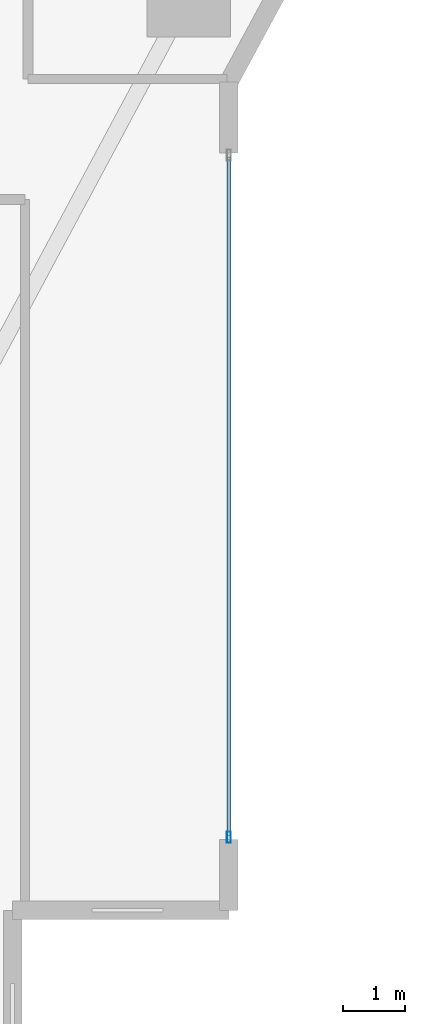
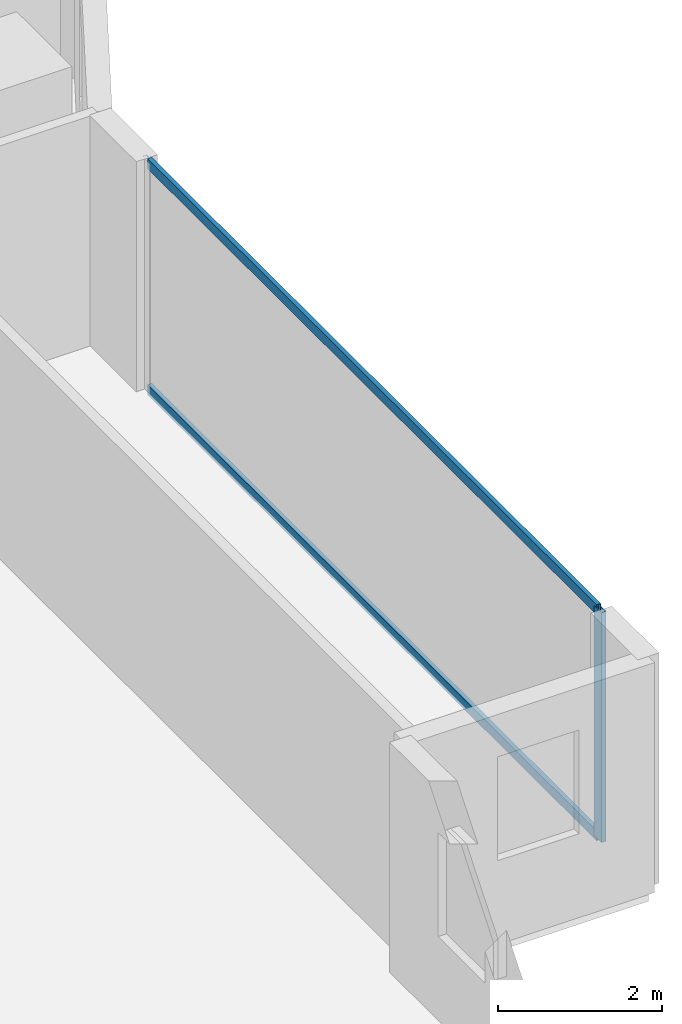
# One storey, part 11 of 29: 3 members, 1 element without a shape of its own.
"""IFC4 building model written with IfcOpenShell, lengths in metres."""

import ifcopenshell
import ifcopenshell.guid

model = None  # the IFC model being written
_history = None  # IfcOwnerHistory: only IFC2X3 demands one
_inside = {}  # id of a spatial element -> (the spatial element, [elements in it])
_under = {}  # id of a project, library or spatial element -> (it, [spatial elements below it])
_declared = {}  # id of a project -> (the project, [libraries it declares])
_typed = {}  # id of a type object -> (the type object, [elements of that type])
_made_of = {}  # id of a material, layer set ... -> (it, [elements and type objects made of it])


def new_model(schema):
    """Start an empty IFC model of exactly this schema.

    Asked for "IFC4X3", IfcOpenShell would pick the latest addendum, in which some entities
    have other attributes; the version numbers below select the first issue.
    IFC2X3 requires an IfcOwnerHistory on every rooted entity: one is made here for all.
    """
    global model, _history
    if schema == "IFC4X3":
        model = ifcopenshell.file(schema_version=(4, 3, 0, 0))
    else:
        model = ifcopenshell.file(schema=schema)
    _inside.clear()
    _under.clear()
    _declared.clear()
    _typed.clear()
    _made_of.clear()
    _history = None
    if model.schema == "IFC2X3":
        org = make("IfcOrganization", Name="unknown")
        user = make(
            "IfcPersonAndOrganization",
            ThePerson=make("IfcPerson", FamilyName="unknown"),
            TheOrganization=org,
        )
        app = make(
            "IfcApplication",
            ApplicationDeveloper=org,
            Version="unknown",
            ApplicationFullName="unknown",
            ApplicationIdentifier="unknown",
        )
        _history = make(
            "IfcOwnerHistory",
            OwningUser=user,
            OwningApplication=app,
            ChangeAction="ADDED",
            CreationDate=0,
        )
    return model


def make(cls, **values):
    """One entity of the class cls with the attributes given. An attribute that is None is left unset."""
    return model.create_entity(
        cls, **{name: value for name, value in values.items() if value is not None}
    )


def rooted(cls, **values):
    """An entity with a GlobalId (a new one), such as an element, a storey or a relation."""
    return make(cls, GlobalId=ifcopenshell.guid.new(), OwnerHistory=_history, **values)


def si_unit(unit_type, name, prefix=None):
    """IfcSIUnit, for example si_unit("LENGTHUNIT", "METRE", prefix="MILLI")."""
    return make("IfcSIUnit", UnitType=unit_type, Prefix=prefix, Name=name)


def assignment(units):
    """IfcUnitAssignment: the units of a project."""
    return None if units is None else make("IfcUnitAssignment", Units=units)


def point(xyz):
    """IfcCartesianPoint."""
    return None if xyz is None else make("IfcCartesianPoint", Coordinates=xyz)


def direction(xyz):
    """IfcDirection."""
    return None if xyz is None else make("IfcDirection", DirectionRatios=xyz)


def frame(location, z_axis=None, x_axis=None):
    """IfcAxis2Placement3D, a coordinate frame: its origin and axes. An axis left out is left unset."""
    return make(
        "IfcAxis2Placement3D",
        Location=point(location),
        Axis=direction(z_axis),
        RefDirection=direction(x_axis),
    )


def frame_2d(location, x_axis=None):
    """IfcAxis2Placement2D, a coordinate frame in the plane: its origin and x axis."""
    return make(
        "IfcAxis2Placement2D", Location=point(location), RefDirection=direction(x_axis)
    )


def origin():
    """The frame at (0, 0, 0) with its axes left unset."""
    return frame((0.0, 0.0, 0.0))


def origin_2d():
    """The frame at (0, 0) in the plane with its x axis left unset."""
    return frame_2d((0.0, 0.0))


def place(relative_to, where):
    """IfcLocalPlacement: puts the frame where relative to a parent placement (None: the world)."""
    return make(
        "IfcLocalPlacement", PlacementRelTo=relative_to, RelativePlacement=where
    )


def context(
    kind, dimensions, precision=None, world=None, true_north=None, identifier=None
):
    """IfcGeometricRepresentationContext, for example the 3D "Model" context."""
    return make(
        "IfcGeometricRepresentationContext",
        ContextIdentifier=identifier,
        ContextType=kind,
        CoordinateSpaceDimension=dimensions,
        Precision=precision,
        WorldCoordinateSystem=world,
        TrueNorth=true_north,
    )


def subcontext(parent, identifier, kind, view, scale=None):
    """IfcGeometricRepresentationSubContext, for example "Body" below "Model"."""
    return make(
        "IfcGeometricRepresentationSubContext",
        ContextIdentifier=identifier,
        ContextType=kind,
        ParentContext=parent,
        TargetScale=scale,
        TargetView=view,
    )


def project(units=None, contexts=None):
    """IfcProject with its units and contexts."""
    return rooted(
        "IfcProject",
        Name="project",
        RepresentationContexts=contexts,
        UnitsInContext=assignment(units),
    )


def spatial(cls, under=None, at=None, **own):
    """A site, building, storey or space (cls), placed at a placement, below another one or the project."""
    s = rooted(cls, ObjectPlacement=at, **own)
    if under is not None:
        _under.setdefault(under.id(), (under, []))[1].append(s)
    return s


def profile(cls, at=None, kind="AREA", **sizes):
    """A parametric profile (cls). Its sizes go by their IFC names, for example OverallWidth=200.0."""
    return make(cls, ProfileType=kind, Position=at, **sizes)


def hollow_rectangle(**sizes):
    """IfcRectangleHollowProfileDef."""
    return profile("IfcRectangleHollowProfileDef", **sizes)


def extrude(swept, where, along, depth):
    """IfcExtrudedAreaSolid: the profile swept, set in the frame where, extruded along a direction by depth."""
    return make(
        "IfcExtrudedAreaSolid",
        SweptArea=swept,
        Position=where,
        ExtrudedDirection=direction(along),
        Depth=depth,
    )


def shape(context_of_items, identifier, shape_type, items):
    """IfcShapeRepresentation: the items that make up one representation, for example the "Body"."""
    return make(
        "IfcShapeRepresentation",
        ContextOfItems=context_of_items,
        RepresentationIdentifier=identifier,
        RepresentationType=shape_type,
        Items=items,
    )


def material(Name=None, Category=None):
    """IfcMaterial."""
    return make("IfcMaterial", Name=Name, Category=Category)


def layer(
    of_material, thickness, ventilated=None, Name=None, Category=None, Priority=None
):
    """IfcMaterialLayer: one layer of a wall or slab, of a material (None: an air gap)."""
    return make(
        "IfcMaterialLayer",
        Material=of_material,
        LayerThickness=thickness,
        IsVentilated=ventilated,
        Name=Name,
        Category=Category,
        Priority=Priority,
    )


def layer_set(layers, Name=None):
    """IfcMaterialLayerSet."""
    return make("IfcMaterialLayerSet", MaterialLayers=layers, LayerSetName=Name)


def material_profile(
    of_material, cross_section, Name=None, Category=None, Priority=None
):
    """IfcMaterialProfile: a cross section and its material."""
    return make(
        "IfcMaterialProfile",
        Name=Name,
        Material=of_material,
        Profile=cross_section,
        Priority=Priority,
        Category=Category,
    )


def profile_set(profiles, Name=None, composite=None):
    """IfcMaterialProfileSet."""
    return make(
        "IfcMaterialProfileSet",
        Name=Name,
        MaterialProfiles=profiles,
        CompositeProfile=composite,
    )


def made_of(thing, what):
    """Note that an element or type object is made of a material, layer set ...; save() writes the relation."""
    if what is not None:
        _made_of.setdefault(what.id(), (what, []))[1].append(thing)
    return thing


def type_object(cls, material=None, **own):
    """A type object (cls), such as IfcWallType, which elements share."""
    return made_of(rooted(cls, **own), material)


def element(
    cls,
    number,
    at=None,
    inside=None,
    cuts=None,
    type_object=None,
    material=None,
    context=None,
    identifier="Body",
    shape_type=None,
    held_by="IfcProductDefinitionShape",
    body=None,
    shapes=None,
    **own,
):
    """One element of the class cls, such as IfcWall. Its Tag is "e" and its number.

    at: its placement. inside: the storey or other place that contains it. cuts: it is an
    opening in that element (IfcRelVoidsElement). A single representation is given by context,
    identifier, shape_type and body (its items); several are given by shapes. held_by: the class
    of the entity that holds the representations. save() writes the other relations.
    """
    e = rooted(cls, Tag="e%d" % number, ObjectPlacement=at, **own)
    if body is not None:
        shapes = [shape(context, identifier, shape_type, body)]
    if shapes is not None:
        e.Representation = make(held_by, Representations=shapes)
    if inside is not None:
        _inside.setdefault(inside.id(), (inside, []))[1].append(e)
    if cuts is not None:
        rooted(
            "IfcRelVoidsElement", RelatingBuildingElement=cuts, RelatedOpeningElement=e
        )
    if type_object is not None:
        _typed.setdefault(type_object.id(), (type_object, []))[1].append(e)
    return made_of(e, material)


def aggregate(whole, parts):
    """IfcRelAggregates: a whole, such as a stair, and the parts it consists of."""
    return rooted("IfcRelAggregates", RelatingObject=whole, RelatedObjects=parts)


def save(model, path):
    """Write the relations noted so far, then the file.

    IfcRelAggregates (storeys below a building ...), IfcRelContainedInSpatialStructure (elements
    in a storey), IfcRelDefinesByType, IfcRelAssociatesMaterial and IfcRelDeclares: one each for
    every whole, place, type object, material and project.
    """
    for whole, parts in _under.values():
        aggregate(whole, parts)
    for where, things in _inside.values():
        rooted(
            "IfcRelContainedInSpatialStructure",
            RelatedElements=things,
            RelatingStructure=where,
        )
    for kind, things in _typed.values():
        rooted("IfcRelDefinesByType", RelatedObjects=things, RelatingType=kind)
    for what, things in _made_of.values():
        rooted("IfcRelAssociatesMaterial", RelatedObjects=things, RelatingMaterial=what)
    for by, libraries in _declared.values():
        rooted("IfcRelDeclares", RelatingContext=by, RelatedDefinitions=libraries)
    model.write(path)


model = new_model("IFC4")

# Units and contexts
model_context = context("Model", 3, precision=1e-05, world=origin(), true_north=direction((0.0, 1.0)))
body_context = subcontext(model_context, "Body", "Model", "MODEL_VIEW")
ifc_project = project(units=[si_unit("LENGTHUNIT", "METRE"), si_unit("AREAUNIT", "SQUARE_METRE"), si_unit("VOLUMEUNIT", "CUBIC_METRE"), si_unit("PLANEANGLEUNIT", "RADIAN"), si_unit("MASSUNIT", "GRAM", prefix="KILO")], contexts=[model_context])

# Site, building, storey
site_placement = place(None, origin())
site = spatial("IfcSite", under=ifc_project, at=site_placement, CompositionType="ELEMENT")
building_placement = place(site_placement, origin())
building = spatial("IfcBuilding", under=site, at=building_placement, Name="Zuhayl Quay Hotel", CompositionType="ELEMENT")
storey_placement = place(building_placement, frame((0.0, 0.0, 150.39990234375)))
storey = spatial("IfcBuildingStorey", under=building, at=storey_placement, Name="L38", CompositionType="ELEMENT", Elevation=150.39990234375)

# Curtain wall, members
ifc_material_1 = material(Name="Anodised Aluminium 6063-T6", Category="aluminium")
ifc_layer = layer(ifc_material_1, 0.179931640625, Name="Anodised Aluminium 6063-T6", Category="aluminium")
ifc_layer_set = layer_set([ifc_layer], Name="Anodised Aluminium 6063-T6")
curtain_wall_type = type_object("IfcCurtainWallType", Name="CW_SYS_Z2", PredefinedType="USERDEFINED", material=ifc_layer_set)
curtain_wall_placement = place(storey_placement, origin())
curtain_wall = element("IfcCurtainWall", 1, at=curtain_wall_placement, inside=storey, type_object=curtain_wall_type, Name="L38 Curtain Wall ENV_L38_E14_CW1", ObjectType="UNITISED CURTAIN WALL", PredefinedType="USERDEFINED")
ifc_material_2 = material(Name="Black-anodised aluminium 6063-T6", Category="aluminium")
ifc_material_profile_1 = material_profile(ifc_material_2, hollow_rectangle(XDim=0.06494140625, YDim=0.179931640625, WallThickness=0.00341796875, at=origin_2d()), Name="ALU180X65")
ifc_profile_set_1 = profile_set([ifc_material_profile_1], Name="Black-anodised aluminium 6063-T6")
member_type_1 = type_object("IfcMemberType", Name="MB_CW_MUL_180", PredefinedType="MULLION", material=ifc_profile_set_1)
member_1_placement = place(storey_placement, frame((23.89990234375, -10.717529296875, 0.0), z_axis=(0.0, 0.0, 1.0), x_axis=(1.0, 0.0, 0.0)))
member_1 = element("IfcMember", 2, at=member_1_placement, type_object=member_type_1, Name="CW-Z2 mullion 2", PredefinedType="MULLION", context=body_context, shape_type="SweptSolid", body=[
    extrude(hollow_rectangle(XDim=0.06494140625, YDim=0.179931640625, WallThickness=0.00341796875, at=origin_2d()), origin(), (0.0, 0.0, 1.0), 3.43017578125),
])
ifc_material_profile_2 = material_profile(ifc_material_2, hollow_rectangle(XDim=0.06005859375, YDim=0.14990234375, WallThickness=0.00341796875, at=origin_2d()), Name="ALU150X60")
ifc_profile_set_2 = profile_set([ifc_material_profile_2], Name="Black-anodised aluminium 6063-T6")
member_type_2 = type_object("IfcMemberType", Name="MB_CW_TRN_150", PredefinedType="USERDEFINED", material=ifc_profile_set_2)
member_2_placement = place(storey_placement, frame((23.89990234375, 0.284912109375, 0.030029296875), z_axis=(0.0, -1.0, 0.0), x_axis=(1.0, 0.0, 0.0)))
member_2 = element("IfcMember", 3, at=member_2_placement, type_object=member_type_2, Name="CW-Z2 transom 1.1", ObjectType="TRANSOM", PredefinedType="USERDEFINED", context=body_context, shape_type="SweptSolid", body=[
    extrude(hollow_rectangle(XDim=0.06005859375, YDim=0.14990234375, WallThickness=0.00341796875, at=origin_2d()), origin(), (0.0, 0.0, 1.0), 10.969970703125),
])
member_3_placement = place(storey_placement, frame((23.89990234375, 0.284912109375, 3.400146484375), z_axis=(0.0, -1.0, 0.0), x_axis=(1.0, 0.0, 0.0)))
member_3 = element("IfcMember", 4, at=member_3_placement, type_object=member_type_2, Name="CW-Z2 transom 1.2", ObjectType="TRANSOM", PredefinedType="USERDEFINED", context=body_context, shape_type="SweptSolid", body=[
    extrude(hollow_rectangle(XDim=0.06005859375, YDim=0.14990234375, WallThickness=0.00341796875, at=origin_2d()), origin(), (0.0, 0.0, 1.0), 10.969970703125),
])
aggregate(curtain_wall, [member_1, member_2, member_3])

save(model, "model.ifc")
